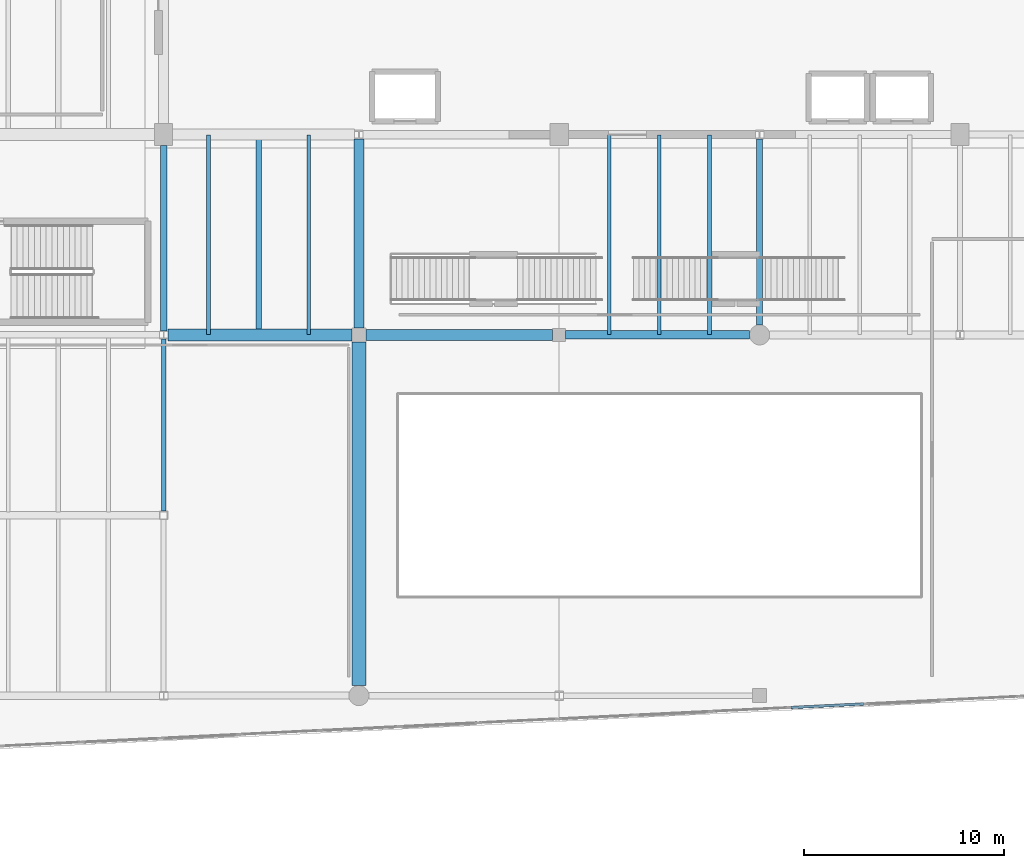
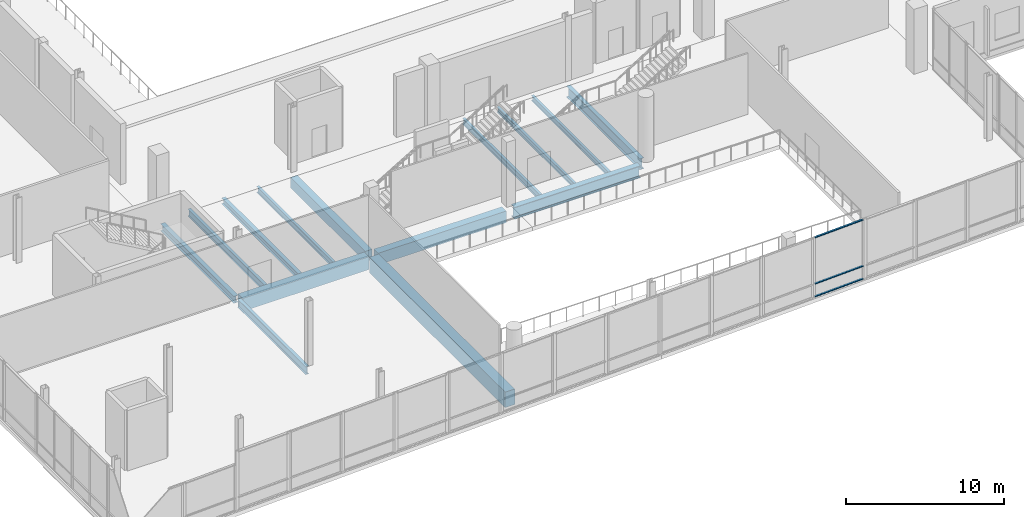
# One storey, part 27 of 81: 14 beams, 3 members, 1 element without a shape of its own.
"""IFC4 building model written with IfcOpenShell, lengths in metres."""

from ifc_helpers import new_model, si_unit, direction, frame, origin, origin_2d, place, context, subcontext, project, spatial, rectangle, i_section, extrude, material, material_profile, profile_set, type_object, element, aggregate, save


model = new_model("IFC4")

# Units and contexts
model_context = context("Model", 3, precision=1e-05, world=origin(), true_north=direction((0.0, 1.0)))
body_context = subcontext(model_context, "Body", "Model", "MODEL_VIEW")
ifc_project = project(units=[si_unit("LENGTHUNIT", "METRE"), si_unit("AREAUNIT", "SQUARE_METRE"), si_unit("VOLUMEUNIT", "CUBIC_METRE"), si_unit("PLANEANGLEUNIT", "RADIAN"), si_unit("MASSUNIT", "GRAM", prefix="KILO")], contexts=[model_context])

# Site, building, storey
site_placement = place(None, origin())
site = spatial("IfcSite", under=ifc_project, at=site_placement, CompositionType="ELEMENT")
building_placement = place(site_placement, origin())
building = spatial("IfcBuilding", under=site, at=building_placement, Name="Trimount Lyric Opera House", CompositionType="ELEMENT")
storey_placement = place(building_placement, frame((0.0, 0.0, 5.0)))
storey = spatial("IfcBuildingStorey", under=building, at=storey_placement, Name="L01", CompositionType="ELEMENT", Elevation=5.0)

# Beams
ifc_material_1 = material(Name="Steel ASTM A992 Grade 50", Category="steel")
ifc_material_profile_1 = material_profile(ifc_material_1, i_section(OverallWidth=0.4189453125, OverallDepth=0.927001953125, WebThickness=0.019287109375, FlangeThickness=0.031982421875, FilletRadius=0.02392578125, at=origin_2d()), Name="W36X231")
ifc_profile_set_1 = profile_set([ifc_material_profile_1], Name="Steel ASTM A992 Grade 50")
beam_type_1 = type_object("IfcBeamType", Name="B-02", PredefinedType="BEAM", material=ifc_profile_set_1)
beam_1_placement = place(storey_placement, frame((84.324951171875, 44.0, -0.763427734375), z_axis=(1.0, 0.0, 0.0), x_axis=(0.0, 1.0, 0.0)))
element("IfcBeam", 1, at=beam_1_placement, inside=storey, type_object=beam_type_1, Name="L01 girder X-0481", PredefinedType="BEAM", context=body_context, shape_type="SweptSolid", body=[
    extrude(i_section(OverallWidth=0.4189453125, OverallDepth=0.927001953125, WebThickness=0.019287109375, FlangeThickness=0.031982421875, FilletRadius=0.02392578125, at=origin_2d()), origin(), (0.0, 0.0, 1.0), 9.175048828125),
])
ifc_material_2 = material(Name="Steel ASTM A992 Grade 50", Category="steel")
ifc_material_profile_2 = material_profile(ifc_material_2, i_section(OverallWidth=0.2919921875, OverallDepth=0.845947265625, WebThickness=0.015380859375, FlangeThickness=0.0244140625, FilletRadius=0.01806640625, at=origin_2d()), Name="W33X141")
ifc_profile_set_2 = profile_set([ifc_material_profile_2], Name="Steel ASTM A992 Grade 50")
beam_type_2 = type_object("IfcBeamType", Name="B-05", PredefinedType="BEAM", material=ifc_profile_set_2)
beam_2_placement = place(storey_placement, frame((94.0, 44.5, -0.748046875), z_axis=(0.0, 1.0, 0.0), x_axis=(-1.0, 0.0, 0.0)))
element("IfcBeam", 2, at=beam_2_placement, inside=storey, type_object=beam_type_2, Name="L01 girder Y-0659", PredefinedType="BEAM", context=body_context, shape_type="SweptSolid", body=[
    extrude(i_section(OverallWidth=0.2919921875, OverallDepth=0.845947265625, WebThickness=0.015380859375, FlangeThickness=0.0244140625, FilletRadius=0.01806640625, at=origin_2d()), origin(), (0.0, 0.0, 1.0), 9.267578125),
])
ifc_material_3 = material(Name="Steel ASTM A992 Grade 50", Category="steel")
ifc_material_profile_3 = material_profile(ifc_material_3, i_section(OverallWidth=0.22998046875, OverallDepth=0.616943359375, WebThickness=0.01318359375, FlangeThickness=0.022216796875, FilletRadius=0.013916015625, at=origin_2d()), Name="W24X94")
ifc_profile_set_3 = profile_set([ifc_material_profile_3], Name="Steel ASTM A992 Grade 50")
beam_type_3 = type_object("IfcBeamType", Name="B-11", PredefinedType="BEAM", material=ifc_profile_set_3)
beam_3_placement = place(storey_placement, frame((64.260009765625, 35.203125, -0.6083984375), z_axis=(0.0, 1.0, 0.0), x_axis=(-1.0, 0.0, 0.0)))
element("IfcBeam", 3, at=beam_3_placement, inside=storey, type_object=beam_type_3, Name="L01 girder Y-0648", PredefinedType="BEAM", context=body_context, shape_type="SweptSolid", body=[
    extrude(i_section(OverallWidth=0.22998046875, OverallDepth=0.616943359375, WebThickness=0.01318359375, FlangeThickness=0.022216796875, FilletRadius=0.013916015625, at=origin_2d()), origin(), (0.0, 0.0, 1.0), 8.58837890625),
])
ifc_material_4 = material(Name="Steel ASTM A992 Grade 50", Category="steel")
ifc_material_profile_4 = material_profile(ifc_material_4, i_section(OverallWidth=0.31201171875, OverallDepth=0.5458984375, WebThickness=0.013916015625, FlangeThickness=0.022216796875, FilletRadius=0.014892578125, at=origin_2d()), Name="W21X111")
ifc_profile_set_4 = profile_set([ifc_material_profile_4], Name="Steel ASTM A992 Grade 50")
beam_type_4 = type_object("IfcBeamType", Name="B-12", PredefinedType="BEAM", material=ifc_profile_set_4)
beam_4_placement = place(storey_placement, frame((64.260009765625, 44.20849609375, -0.597900390625), z_axis=(0.0, 1.0, 0.0), x_axis=(-1.0, 0.0, 0.0)))
element("IfcBeam", 4, at=beam_4_placement, inside=storey, type_object=beam_type_4, Name="L01 girder Y-0649", PredefinedType="BEAM", context=body_context, shape_type="SweptSolid", body=[
    extrude(i_section(OverallWidth=0.31201171875, OverallDepth=0.5458984375, WebThickness=0.013916015625, FlangeThickness=0.022216796875, FilletRadius=0.014892578125, at=origin_2d()), origin(), (0.0, 0.0, 1.0), 9.241455078125),
])
ifc_material_5 = material(Name="Concrete C40/50", Category="concrete")
ifc_material_profile_5 = material_profile(ifc_material_5, rectangle(XDim=0.60009765625, YDim=1.0, at=origin_2d()), Name="RC600X1000")
ifc_profile_set_5 = profile_set([ifc_material_profile_5], Name="Concrete C40/50")
beam_type_5 = type_object("IfcBeamType", Name="B-13", PredefinedType="BEAM", material=ifc_profile_set_5)
beam_5_placement = place(storey_placement, frame((64.462890625, 44.0, -0.800048828125), z_axis=(1.0, 0.0, 0.0), x_axis=(0.0, 1.0, 0.0)))
element("IfcBeam", 5, at=beam_5_placement, inside=storey, type_object=beam_type_5, Name="L01 girder X-0479", PredefinedType="BEAM", context=body_context, shape_type="SweptSolid", body=[
    extrude(rectangle(XDim=0.60009765625, YDim=1.0, at=origin_2d()), origin(), (0.0, 0.0, 1.0), 9.18701171875),
])
ifc_material_6 = material(Name="Concrete C40/50", Category="concrete")
ifc_material_profile_6 = material_profile(ifc_material_6, rectangle(XDim=0.550048828125, YDim=0.89990234375, at=origin_2d()), Name="RC550X900")
ifc_profile_set_6 = profile_set([ifc_material_profile_6], Name="Concrete C40/50")
beam_type_6 = type_object("IfcBeamType", Name="B-14", PredefinedType="BEAM", material=ifc_profile_set_6)
beam_6_placement = place(storey_placement, frame((74.35009765625, 44.0, -0.75), z_axis=(1.0, 0.0, 0.0), x_axis=(0.0, 1.0, 0.0)))
element("IfcBeam", 6, at=beam_6_placement, inside=storey, type_object=beam_type_6, Name="L01 girder X-0480", PredefinedType="BEAM", context=body_context, shape_type="SweptSolid", body=[
    extrude(rectangle(XDim=0.550048828125, YDim=0.89990234375, at=origin_2d()), origin(), (0.0, 0.0, 1.0), 9.324951171875),
])
ifc_material_7 = material(Name="Concrete C40/50", Category="concrete")
ifc_material_profile_7 = material_profile(ifc_material_7, rectangle(XDim=0.5, YDim=0.800048828125, at=origin_2d()), Name="RC500X800")
ifc_profile_set_7 = profile_set([ifc_material_profile_7], Name="Concrete C40/50")
beam_type_7 = type_object("IfcBeamType", Name="B-15", PredefinedType="BEAM", material=ifc_profile_set_7)
beam_7_placement = place(storey_placement, frame((74.0, 44.35009765625, -0.72509765625), z_axis=(0.0, 1.0, 0.0), x_axis=(-1.0, 0.0, 0.0)))
element("IfcBeam", 7, at=beam_7_placement, inside=storey, type_object=beam_type_7, Name="L01 girder Y-0657", PredefinedType="BEAM", context=body_context, shape_type="SweptSolid", body=[
    extrude(rectangle(XDim=0.5, YDim=0.800048828125, at=origin_2d()), origin(), (0.0, 0.0, 1.0), 9.41748046875),
])
ifc_material_8 = material(Name="Steel ASTM A992 Grade 50", Category="steel")
ifc_material_profile_8 = material_profile(ifc_material_8, i_section(OverallWidth=0.2099609375, OverallDepth=0.532958984375, WebThickness=0.01025390625, FlangeThickness=0.015625, FilletRadius=0.012939453125, at=origin_2d()), Name="W21X62")
ifc_profile_set_8 = profile_set([ifc_material_profile_8], Name="Steel ASTM A992 Grade 50")
beam_type_8 = type_object("IfcBeamType", Name="J-02", PredefinedType="BEAM", material=ifc_profile_set_8)
beam_8_placement = place(storey_placement, frame((66.5, 44.011962890625, -0.591552734375), z_axis=(0.0, 1.0, 0.0), x_axis=(-1.0, 0.0, 0.0)))
element("IfcBeam", 8, at=beam_8_placement, inside=storey, type_object=beam_type_8, Name="L01 composite floor joist 0683", PredefinedType="BEAM", context=body_context, shape_type="SweptSolid", body=[
    extrude(i_section(OverallWidth=0.2099609375, OverallDepth=0.532958984375, WebThickness=0.01025390625, FlangeThickness=0.015625, FilletRadius=0.012939453125, at=origin_2d()), origin(), (0.0, 0.0, 1.0), 9.97607421875),
])
ifc_material_9 = material(Name="Steel ASTM A992 Grade 50", Category="steel")
ifc_material_profile_9 = material_profile(ifc_material_9, i_section(OverallWidth=0.281982421875, OverallDepth=0.467041015625, WebThickness=0.01220703125, FlangeThickness=0.01953125, FilletRadius=0.012939453125, at=origin_2d()), Name="W18X86")
ifc_profile_set_9 = profile_set([ifc_material_profile_9], Name="Steel ASTM A992 Grade 50")
beam_type_9 = type_object("IfcBeamType", Name="J-03", PredefinedType="BEAM", material=ifc_profile_set_9)
beam_9_placement = place(storey_placement, frame((69.0, 44.011962890625, -0.55859375), z_axis=(0.0, 1.0, 0.0), x_axis=(-1.0, 0.0, 0.0)))
element("IfcBeam", 9, at=beam_9_placement, inside=storey, type_object=beam_type_9, Name="L01 composite floor joist 0684", PredefinedType="BEAM", context=body_context, shape_type="SweptSolid", body=[
    extrude(i_section(OverallWidth=0.281982421875, OverallDepth=0.467041015625, WebThickness=0.01220703125, FlangeThickness=0.01953125, FilletRadius=0.012939453125, at=origin_2d()), origin(), (0.0, 0.0, 1.0), 9.97607421875),
])
ifc_material_10 = material(Name="Steel ASTM A992 Grade 50", Category="steel")
ifc_material_profile_10 = material_profile(ifc_material_10, i_section(OverallWidth=0.19091796875, OverallDepth=0.45703125, WebThickness=0.009033203125, FlangeThickness=0.014404296875, FilletRadius=0.010986328125, at=origin_2d()), Name="W18X50")
ifc_profile_set_10 = profile_set([ifc_material_profile_10], Name="Steel ASTM A992 Grade 50")
beam_type_10 = type_object("IfcBeamType", Name="J-04", PredefinedType="BEAM", material=ifc_profile_set_10)
for number, where, z_axis, x_axis, name in (
    (10, (71.5, 44.011962890625, -0.553466796875), (0.0, 1.0, 0.0), (-1.0, 0.0, 0.0), "L01 composite floor joist 0685"),
    (11, (86.5, 44.011962890625, -0.553466796875), (0.0, 1.0, 0.0), (-1.0, 0.0, 0.0), "L01 composite floor joist 0686"),
):
    element("IfcBeam", number, at=place(storey_placement, frame(where, z_axis=z_axis, x_axis=x_axis)), inside=storey, type_object=beam_type_10, Name=name, PredefinedType="BEAM", context=body_context, shape_type="SweptSolid", body=[
        extrude(i_section(OverallWidth=0.19091796875, OverallDepth=0.45703125, WebThickness=0.009033203125, FlangeThickness=0.014404296875, FilletRadius=0.010986328125, at=origin_2d()), origin(), (0.0, 0.0, 1.0), 9.97607421875),
    ])
ifc_material_11 = material(Name="Steel ASTM A992 Grade 50", Category="steel")
ifc_material_profile_11 = material_profile(ifc_material_11, i_section(OverallWidth=0.180908203125, OverallDepth=0.4169921875, WebThickness=0.010986328125, FlangeThickness=0.018310546875, FilletRadius=0.010986328125, at=origin_2d()), Name="W16X57")
ifc_profile_set_11 = profile_set([ifc_material_profile_11], Name="Steel ASTM A992 Grade 50")
beam_type_11 = type_object("IfcBeamType", Name="J-05", PredefinedType="BEAM", material=ifc_profile_set_11)
beam_10_placement = place(storey_placement, frame((89.0, 44.011962890625, -0.533447265625), z_axis=(0.0, 1.0, 0.0), x_axis=(-1.0, 0.0, 0.0)))
element("IfcBeam", 12, at=beam_10_placement, inside=storey, type_object=beam_type_11, Name="L01 composite floor joist 0687", PredefinedType="BEAM", context=body_context, shape_type="SweptSolid", body=[
    extrude(i_section(OverallWidth=0.180908203125, OverallDepth=0.4169921875, WebThickness=0.010986328125, FlangeThickness=0.018310546875, FilletRadius=0.010986328125, at=origin_2d()), origin(), (0.0, 0.0, 1.0), 9.97607421875),
])
ifc_material_12 = material(Name="Steel ASTM A992 Grade 50", Category="steel")
ifc_material_profile_12 = material_profile(ifc_material_12, i_section(OverallWidth=0.177978515625, OverallDepth=0.404052734375, WebThickness=0.007568359375, FlangeThickness=0.010986328125, FilletRadius=0.010009765625, at=origin_2d()), Name="W16X36")
ifc_profile_set_12 = profile_set([ifc_material_profile_12], Name="Steel ASTM A992 Grade 50")
beam_type_12 = type_object("IfcBeamType", Name="J-06", PredefinedType="BEAM", material=ifc_profile_set_12)
beam_11_placement = place(storey_placement, frame((91.5, 44.011962890625, -0.527099609375), z_axis=(0.0, 1.0, 0.0), x_axis=(-1.0, 0.0, 0.0)))
element("IfcBeam", 13, at=beam_11_placement, inside=storey, type_object=beam_type_12, Name="L01 composite floor joist 0688", PredefinedType="BEAM", context=body_context, shape_type="SweptSolid", body=[
    extrude(i_section(OverallWidth=0.177978515625, OverallDepth=0.404052734375, WebThickness=0.007568359375, FlangeThickness=0.010986328125, FilletRadius=0.010009765625, at=origin_2d()), origin(), (0.0, 0.0, 1.0), 9.97607421875),
])
ifc_material_13 = material(Name="Concrete C40/50", Category="concrete")
ifc_material_profile_13 = material_profile(ifc_material_13, rectangle(XDim=0.699951171875, YDim=1.199951171875, at=origin_2d()), Name="RC700X1200")
ifc_profile_set_13 = profile_set([ifc_material_profile_13], Name="Concrete C40/50")
beam_type_13 = type_object("IfcBeamType", Name="TG-05", PredefinedType="USERDEFINED", material=ifc_profile_set_13)
beam_12_placement = place(storey_placement, frame((74.0, 26.5, -0.89990234375), z_axis=(0.0, 1.0, 0.0), x_axis=(-1.0, 0.0, 0.0)))
element("IfcBeam", 14, at=beam_12_placement, inside=storey, type_object=beam_type_13, Name="L01 girder Y-0656", ObjectType="TRANSFER_GIRDER", PredefinedType="USERDEFINED", context=body_context, shape_type="SweptSolid", body=[
    extrude(rectangle(XDim=0.699951171875, YDim=1.199951171875, at=origin_2d()), origin(), (0.0, 0.0, 1.0), 17.14990234375),
])

# Curtain wall, members
ifc_material_14 = material(Name="Thermally Broken Aluminium and Low-E Glass", Category="aluminium")
curtain_wall_type = type_object("IfcCurtainWallType", Name="CW-01", PredefinedType="NOTDEFINED", material=ifc_material_14)
curtain_wall_placement = place(storey_placement, origin())
curtain_wall = element("IfcCurtainWall", 15, at=curtain_wall_placement, inside=storey, type_object=curtain_wall_type, Name="L01 curtain wall 097", PredefinedType="NOTDEFINED")
ifc_material_15 = material(Name="Anodised Aluminium 6063-T6", Category="aluminium")
ifc_material_profile_14 = material_profile(ifc_material_15, rectangle(XDim=0.135009765625, YDim=0.06494140625, at=origin_2d()), Name="ALU-TRAN-65X135")
ifc_profile_set_14 = profile_set([ifc_material_profile_14], Name="Anodised Aluminium 6063-T6")
member_type = type_object("IfcMemberType", Name="TR-02", PredefinedType="USERDEFINED", material=ifc_profile_set_14)
member_1_placement = place(storey_placement, frame((99.177978515625, 25.583740234375, 0.0673828125), z_axis=(-0.998810028089, -0.048770152651, 0.0), x_axis=(0.048770152651, -0.998810028089, 0.0)))
member_1 = element("IfcMember", 16, at=member_1_placement, type_object=member_type, Name="CW-01 transom 1.1", ObjectType="TRANSOM", PredefinedType="USERDEFINED", context=body_context, shape_type="SweptSolid", body=[
    extrude(rectangle(XDim=0.135009765625, YDim=0.06494140625, at=origin_2d()), origin(), (0.0, 0.0, 1.0), 3.619384765625),
])
member_2_placement = place(storey_placement, frame((99.177978515625, 25.583740234375, 1.050048828125), z_axis=(-0.998810028089, -0.048770152651, 0.0), x_axis=(0.048770152651, -0.998810028089, 0.0)))
member_2 = element("IfcMember", 17, at=member_2_placement, type_object=member_type, Name="CW-01 transom 1.2", ObjectType="TRANSOM", PredefinedType="USERDEFINED", context=body_context, shape_type="SweptSolid", body=[
    extrude(rectangle(XDim=0.135009765625, YDim=0.06494140625, at=origin_2d()), origin(), (0.0, 0.0, 1.0), 3.619384765625),
])
member_3_placement = place(storey_placement, frame((99.177978515625, 25.583740234375, 4.612548828125), z_axis=(-0.998810028089, -0.048770152651, 0.0), x_axis=(0.048770152651, -0.998810028089, 0.0)))
member_3 = element("IfcMember", 18, at=member_3_placement, type_object=member_type, Name="CW-01 transom 1.3", ObjectType="TRANSOM", PredefinedType="USERDEFINED", context=body_context, shape_type="SweptSolid", body=[
    extrude(rectangle(XDim=0.135009765625, YDim=0.06494140625, at=origin_2d()), origin(), (0.0, 0.0, 1.0), 3.619384765625),
])
aggregate(curtain_wall, [member_1, member_2, member_3])

save(model, "model.ifc")
